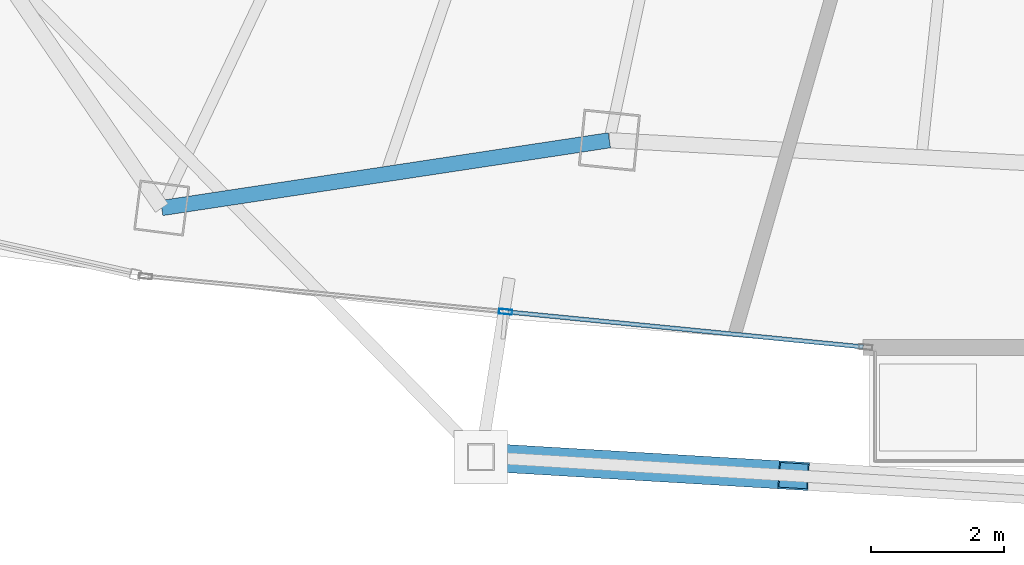
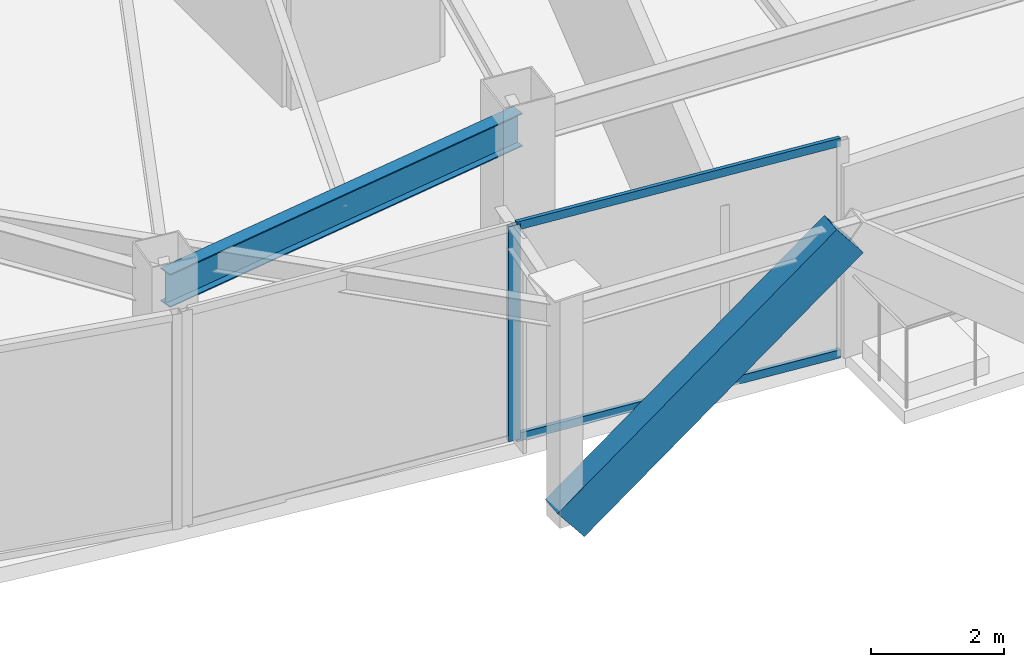
# One storey, part 3 of 27: 4 members, 1 beam, 1 element without a shape of its own.
"""IFC4 building model written with IfcOpenShell, lengths in metres."""

import ifcopenshell
import ifcopenshell.guid

model = None  # the IFC model being written
_history = None  # IfcOwnerHistory: only IFC2X3 demands one
_inside = {}  # id of a spatial element -> (the spatial element, [elements in it])
_under = {}  # id of a project, library or spatial element -> (it, [spatial elements below it])
_declared = {}  # id of a project -> (the project, [libraries it declares])
_typed = {}  # id of a type object -> (the type object, [elements of that type])
_made_of = {}  # id of a material, layer set ... -> (it, [elements and type objects made of it])


def new_model(schema):
    """Start an empty IFC model of exactly this schema.

    Asked for "IFC4X3", IfcOpenShell would pick the latest addendum, in which some entities
    have other attributes; the version numbers below select the first issue.
    IFC2X3 requires an IfcOwnerHistory on every rooted entity: one is made here for all.
    """
    global model, _history
    if schema == "IFC4X3":
        model = ifcopenshell.file(schema_version=(4, 3, 0, 0))
    else:
        model = ifcopenshell.file(schema=schema)
    _inside.clear()
    _under.clear()
    _declared.clear()
    _typed.clear()
    _made_of.clear()
    _history = None
    if model.schema == "IFC2X3":
        org = make("IfcOrganization", Name="unknown")
        user = make(
            "IfcPersonAndOrganization",
            ThePerson=make("IfcPerson", FamilyName="unknown"),
            TheOrganization=org,
        )
        app = make(
            "IfcApplication",
            ApplicationDeveloper=org,
            Version="unknown",
            ApplicationFullName="unknown",
            ApplicationIdentifier="unknown",
        )
        _history = make(
            "IfcOwnerHistory",
            OwningUser=user,
            OwningApplication=app,
            ChangeAction="ADDED",
            CreationDate=0,
        )
    return model


def make(cls, **values):
    """One entity of the class cls with the attributes given. An attribute that is None is left unset."""
    return model.create_entity(
        cls, **{name: value for name, value in values.items() if value is not None}
    )


def rooted(cls, **values):
    """An entity with a GlobalId (a new one), such as an element, a storey or a relation."""
    return make(cls, GlobalId=ifcopenshell.guid.new(), OwnerHistory=_history, **values)


def si_unit(unit_type, name, prefix=None):
    """IfcSIUnit, for example si_unit("LENGTHUNIT", "METRE", prefix="MILLI")."""
    return make("IfcSIUnit", UnitType=unit_type, Prefix=prefix, Name=name)


def assignment(units):
    """IfcUnitAssignment: the units of a project."""
    return None if units is None else make("IfcUnitAssignment", Units=units)


def point(xyz):
    """IfcCartesianPoint."""
    return None if xyz is None else make("IfcCartesianPoint", Coordinates=xyz)


def direction(xyz):
    """IfcDirection."""
    return None if xyz is None else make("IfcDirection", DirectionRatios=xyz)


def frame(location, z_axis=None, x_axis=None):
    """IfcAxis2Placement3D, a coordinate frame: its origin and axes. An axis left out is left unset."""
    return make(
        "IfcAxis2Placement3D",
        Location=point(location),
        Axis=direction(z_axis),
        RefDirection=direction(x_axis),
    )


def frame_2d(location, x_axis=None):
    """IfcAxis2Placement2D, a coordinate frame in the plane: its origin and x axis."""
    return make(
        "IfcAxis2Placement2D", Location=point(location), RefDirection=direction(x_axis)
    )


def origin():
    """The frame at (0, 0, 0) with its axes left unset."""
    return frame((0.0, 0.0, 0.0))


def origin_2d():
    """The frame at (0, 0) in the plane with its x axis left unset."""
    return frame_2d((0.0, 0.0))


def place(relative_to, where):
    """IfcLocalPlacement: puts the frame where relative to a parent placement (None: the world)."""
    return make(
        "IfcLocalPlacement", PlacementRelTo=relative_to, RelativePlacement=where
    )


def context(
    kind, dimensions, precision=None, world=None, true_north=None, identifier=None
):
    """IfcGeometricRepresentationContext, for example the 3D "Model" context."""
    return make(
        "IfcGeometricRepresentationContext",
        ContextIdentifier=identifier,
        ContextType=kind,
        CoordinateSpaceDimension=dimensions,
        Precision=precision,
        WorldCoordinateSystem=world,
        TrueNorth=true_north,
    )


def subcontext(parent, identifier, kind, view, scale=None):
    """IfcGeometricRepresentationSubContext, for example "Body" below "Model"."""
    return make(
        "IfcGeometricRepresentationSubContext",
        ContextIdentifier=identifier,
        ContextType=kind,
        ParentContext=parent,
        TargetScale=scale,
        TargetView=view,
    )


def project(units=None, contexts=None):
    """IfcProject with its units and contexts."""
    return rooted(
        "IfcProject",
        Name="project",
        RepresentationContexts=contexts,
        UnitsInContext=assignment(units),
    )


def spatial(cls, under=None, at=None, **own):
    """A site, building, storey or space (cls), placed at a placement, below another one or the project."""
    s = rooted(cls, ObjectPlacement=at, **own)
    if under is not None:
        _under.setdefault(under.id(), (under, []))[1].append(s)
    return s


def profile(cls, at=None, kind="AREA", **sizes):
    """A parametric profile (cls). Its sizes go by their IFC names, for example OverallWidth=200.0."""
    return make(cls, ProfileType=kind, Position=at, **sizes)


def hollow_rectangle(**sizes):
    """IfcRectangleHollowProfileDef."""
    return profile("IfcRectangleHollowProfileDef", **sizes)


def i_section(**sizes):
    """IfcIShapeProfileDef."""
    return profile("IfcIShapeProfileDef", **sizes)


def extrude(swept, where, along, depth):
    """IfcExtrudedAreaSolid: the profile swept, set in the frame where, extruded along a direction by depth."""
    return make(
        "IfcExtrudedAreaSolid",
        SweptArea=swept,
        Position=where,
        ExtrudedDirection=direction(along),
        Depth=depth,
    )


def shape(context_of_items, identifier, shape_type, items):
    """IfcShapeRepresentation: the items that make up one representation, for example the "Body"."""
    return make(
        "IfcShapeRepresentation",
        ContextOfItems=context_of_items,
        RepresentationIdentifier=identifier,
        RepresentationType=shape_type,
        Items=items,
    )


def material(Name=None, Category=None):
    """IfcMaterial."""
    return make("IfcMaterial", Name=Name, Category=Category)


def layer(
    of_material, thickness, ventilated=None, Name=None, Category=None, Priority=None
):
    """IfcMaterialLayer: one layer of a wall or slab, of a material (None: an air gap)."""
    return make(
        "IfcMaterialLayer",
        Material=of_material,
        LayerThickness=thickness,
        IsVentilated=ventilated,
        Name=Name,
        Category=Category,
        Priority=Priority,
    )


def layer_set(layers, Name=None):
    """IfcMaterialLayerSet."""
    return make("IfcMaterialLayerSet", MaterialLayers=layers, LayerSetName=Name)


def material_profile(
    of_material, cross_section, Name=None, Category=None, Priority=None
):
    """IfcMaterialProfile: a cross section and its material."""
    return make(
        "IfcMaterialProfile",
        Name=Name,
        Material=of_material,
        Profile=cross_section,
        Priority=Priority,
        Category=Category,
    )


def profile_set(profiles, Name=None, composite=None):
    """IfcMaterialProfileSet."""
    return make(
        "IfcMaterialProfileSet",
        Name=Name,
        MaterialProfiles=profiles,
        CompositeProfile=composite,
    )


def made_of(thing, what):
    """Note that an element or type object is made of a material, layer set ...; save() writes the relation."""
    if what is not None:
        _made_of.setdefault(what.id(), (what, []))[1].append(thing)
    return thing


def type_object(cls, material=None, **own):
    """A type object (cls), such as IfcWallType, which elements share."""
    return made_of(rooted(cls, **own), material)


def element(
    cls,
    number,
    at=None,
    inside=None,
    cuts=None,
    type_object=None,
    material=None,
    context=None,
    identifier="Body",
    shape_type=None,
    held_by="IfcProductDefinitionShape",
    body=None,
    shapes=None,
    **own,
):
    """One element of the class cls, such as IfcWall. Its Tag is "e" and its number.

    at: its placement. inside: the storey or other place that contains it. cuts: it is an
    opening in that element (IfcRelVoidsElement). A single representation is given by context,
    identifier, shape_type and body (its items); several are given by shapes. held_by: the class
    of the entity that holds the representations. save() writes the other relations.
    """
    e = rooted(cls, Tag="e%d" % number, ObjectPlacement=at, **own)
    if body is not None:
        shapes = [shape(context, identifier, shape_type, body)]
    if shapes is not None:
        e.Representation = make(held_by, Representations=shapes)
    if inside is not None:
        _inside.setdefault(inside.id(), (inside, []))[1].append(e)
    if cuts is not None:
        rooted(
            "IfcRelVoidsElement", RelatingBuildingElement=cuts, RelatedOpeningElement=e
        )
    if type_object is not None:
        _typed.setdefault(type_object.id(), (type_object, []))[1].append(e)
    return made_of(e, material)


def aggregate(whole, parts):
    """IfcRelAggregates: a whole, such as a stair, and the parts it consists of."""
    return rooted("IfcRelAggregates", RelatingObject=whole, RelatedObjects=parts)


def save(model, path):
    """Write the relations noted so far, then the file.

    IfcRelAggregates (storeys below a building ...), IfcRelContainedInSpatialStructure (elements
    in a storey), IfcRelDefinesByType, IfcRelAssociatesMaterial and IfcRelDeclares: one each for
    every whole, place, type object, material and project.
    """
    for whole, parts in _under.values():
        aggregate(whole, parts)
    for where, things in _inside.values():
        rooted(
            "IfcRelContainedInSpatialStructure",
            RelatedElements=things,
            RelatingStructure=where,
        )
    for kind, things in _typed.values():
        rooted("IfcRelDefinesByType", RelatedObjects=things, RelatingType=kind)
    for what, things in _made_of.values():
        rooted("IfcRelAssociatesMaterial", RelatedObjects=things, RelatingMaterial=what)
    for by, libraries in _declared.values():
        rooted("IfcRelDeclares", RelatingContext=by, RelatedDefinitions=libraries)
    model.write(path)


model = new_model("IFC4")

# Units and contexts
model_context = context("Model", 3, precision=1e-05, world=origin(), true_north=direction((0.0, 1.0)))
body_context = subcontext(model_context, "Body", "Model", "MODEL_VIEW")
ifc_project = project(units=[si_unit("LENGTHUNIT", "METRE"), si_unit("AREAUNIT", "SQUARE_METRE"), si_unit("VOLUMEUNIT", "CUBIC_METRE"), si_unit("PLANEANGLEUNIT", "RADIAN"), si_unit("MASSUNIT", "GRAM", prefix="KILO")], contexts=[model_context])

# Site, building, storey
site_placement = place(None, origin())
site = spatial("IfcSite", under=ifc_project, at=site_placement, CompositionType="ELEMENT")
building_placement = place(site_placement, origin())
building = spatial("IfcBuilding", under=site, at=building_placement, Name="Orvanel Arch Residences", CompositionType="ELEMENT")
storey_placement = place(building_placement, frame((0.0, 0.0, 186.949951171875)))
storey = spatial("IfcBuildingStorey", under=building, at=storey_placement, Name="L53", CompositionType="ELEMENT", Elevation=186.949951171875)

# Member
ifc_material_1 = material(Name="Structural steel AS/NZS 3678 Grade 350", Category="steel")
ifc_material_profile_1 = material_profile(ifc_material_1, hollow_rectangle(XDim=0.419921875, YDim=0.719970703125, WallThickness=0.02490234375, at=origin_2d()), Name="RHS720x420x25")
ifc_profile_set_1 = profile_set([ifc_material_profile_1], Name="Structural steel AS/NZS 3678 Grade 350")
member_type_1 = type_object("IfcMemberType", Name="BR-720RHS-EXT", PredefinedType="BRACE", material=ifc_profile_set_1)
member_1_placement = place(storey_placement, frame((21.72412109375, 2.60791015625, 0.0), z_axis=(0.780153931893, -0.046419829637, 0.623862999359), x_axis=(0.059395811534, 0.998234510309, 0.0)))
element("IfcMember", 1, at=member_1_placement, inside=storey, type_object=member_type_1, Name="L53 Exterior Sky-Garden V-Frame Chevron F2B1.1", PredefinedType="BRACE", context=body_context, shape_type="SweptSolid", body=[
    extrude(hollow_rectangle(XDim=0.419921875, YDim=0.719970703125, WallThickness=0.02490234375, at=origin_2d()), origin(), (0.0, 0.0, 1.0), 6.00634765625),
])

# Curtain wall, member
ifc_material_2 = material(Name="Bronze-anodised aluminium AA6063-T6", Category="aluminium")
ifc_layer = layer(ifc_material_2, 0.195068359375)
ifc_layer_set = layer_set([ifc_layer], Name="Bronze-anodised aluminium AA6063-T6")
curtain_wall_type = type_object("IfcCurtainWallType", Name="CW6-COM-SYS", PredefinedType="NOTDEFINED", material=ifc_layer_set)
curtain_wall_placement = place(storey_placement, origin())
curtain_wall = element("IfcCurtainWall", 2, at=curtain_wall_placement, inside=storey, type_object=curtain_wall_type, Name="L53 CW6-COM-SYS Unitised Curtain Wall", PredefinedType="NOTDEFINED")
ifc_material_profile_2 = material_profile(ifc_material_2, hollow_rectangle(XDim=0.074951171875, YDim=0.199951171875, WallThickness=0.0048828125, at=origin_2d()), Name="ALU200x75x5")
ifc_profile_set_2 = profile_set([ifc_material_profile_2], Name="Bronze-anodised aluminium AA6063-T6")
member_type_2 = type_object("IfcMemberType", Name="MUL-200x75", PredefinedType="MULLION", material=ifc_profile_set_2)
member_2_placement = place(storey_placement, frame((22.093505859375, 4.785400390625, 0.0), z_axis=(0.0, 0.0, 1.0), x_axis=(0.097898678362, 0.995196387039, 0.0)))
member_2 = element("IfcMember", 3, at=member_2_placement, type_object=member_type_2, Name="CW-S6 mullion 2", PredefinedType="MULLION", context=body_context, shape_type="SweptSolid", body=[
    extrude(hollow_rectangle(XDim=0.074951171875, YDim=0.199951171875, WallThickness=0.0048828125, at=origin_2d()), origin(), (0.0, 0.0, 1.0), 3.949951171875),
])

# Beam
ifc_material_3 = material(Name="Structural steel AS/NZS 3679.1 Grade 300 (300 MPa)", Category="steel")
ifc_material_profile_3 = material_profile(ifc_material_3, i_section(OverallWidth=0.22900390625, OverallDepth=0.612060546875, WebThickness=0.011962890625, FlangeThickness=0.01953125, at=origin_2d()), Name="610UB125")
ifc_profile_set_3 = profile_set([ifc_material_profile_3], Name="Structural steel AS/NZS 3679.1 Grade 300 (300 MPa)")
beam_type = type_object("IfcBeamType", Name="SP-610UB", PredefinedType="SPANDREL", material=ifc_profile_set_3)
beam_placement = place(storey_placement, frame((16.94091796875, 6.339111328125, 3.64404296875), z_axis=(0.988726323014, 0.149733958002, 0.0), x_axis=(-0.149733958002, 0.988726323014, 0.0)))
element("IfcBeam", 4, at=beam_placement, inside=storey, type_object=beam_type, Name="L53 Perimeter Spandrel Beam 04", PredefinedType="SPANDREL", context=body_context, shape_type="SweptSolid", body=[
    extrude(i_section(OverallWidth=0.22900390625, OverallDepth=0.612060546875, WebThickness=0.011962890625, FlangeThickness=0.01953125, at=origin_2d()), origin(), (0.0, 0.0, 1.0), 6.784423828125),
])

# Member
ifc_material_profile_4 = material_profile(ifc_material_2, hollow_rectangle(XDim=0.06494140625, YDim=0.14990234375, WallThickness=0.00390625, at=origin_2d()), Name="ALU150x65x4")
ifc_profile_set_4 = profile_set([ifc_material_profile_4], Name="Bronze-anodised aluminium AA6063-T6")
member_type_3 = type_object("IfcMemberType", Name="TRN-150x65", PredefinedType="USERDEFINED", material=ifc_profile_set_4)
member_3_placement = place(storey_placement, frame((22.130859375, 4.78173828125, 0.032470703125), z_axis=(0.995197265042, -0.097889752546, 0.0), x_axis=(0.097889752546, 0.995197265042, 0.0)))
member_3 = element("IfcMember", 5, at=member_3_placement, type_object=member_type_3, Name="CW-S6 transom 2.1", ObjectType="TRANSOM", PredefinedType="USERDEFINED", context=body_context, shape_type="SweptSolid", body=[
    extrude(hollow_rectangle(XDim=0.06494140625, YDim=0.14990234375, WallThickness=0.00390625, at=origin_2d()), origin(), (0.0, 0.0, 1.0), 5.34716796875),
])

member_4_placement = place(storey_placement, frame((22.130859375, 4.78173828125, 3.91748046875), z_axis=(0.995197265042, -0.097889752546, 0.0), x_axis=(0.097889752546, 0.995197265042, 0.0)))
member_4 = element("IfcMember", 6, at=member_4_placement, type_object=member_type_3, Name="CW-S6 transom 2.2", ObjectType="TRANSOM", PredefinedType="USERDEFINED", context=body_context, shape_type="SweptSolid", body=[
    extrude(hollow_rectangle(XDim=0.06494140625, YDim=0.14990234375, WallThickness=0.00390625, at=origin_2d()), origin(), (0.0, 0.0, 1.0), 5.34716796875),
])

aggregate(curtain_wall, [member_2, member_3, member_4])

save(model, "model.ifc")
